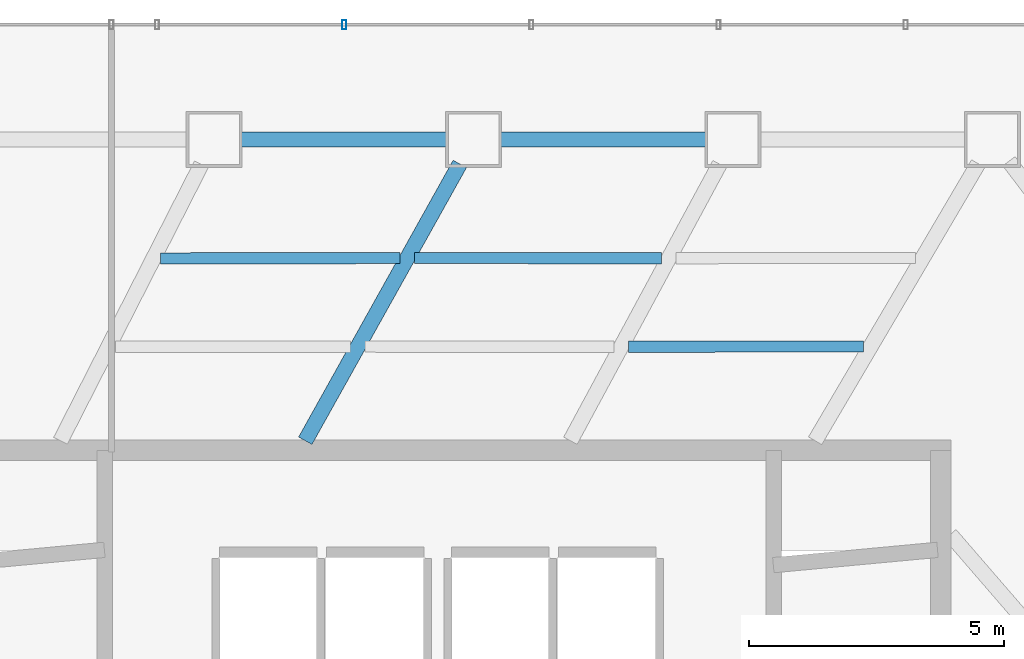
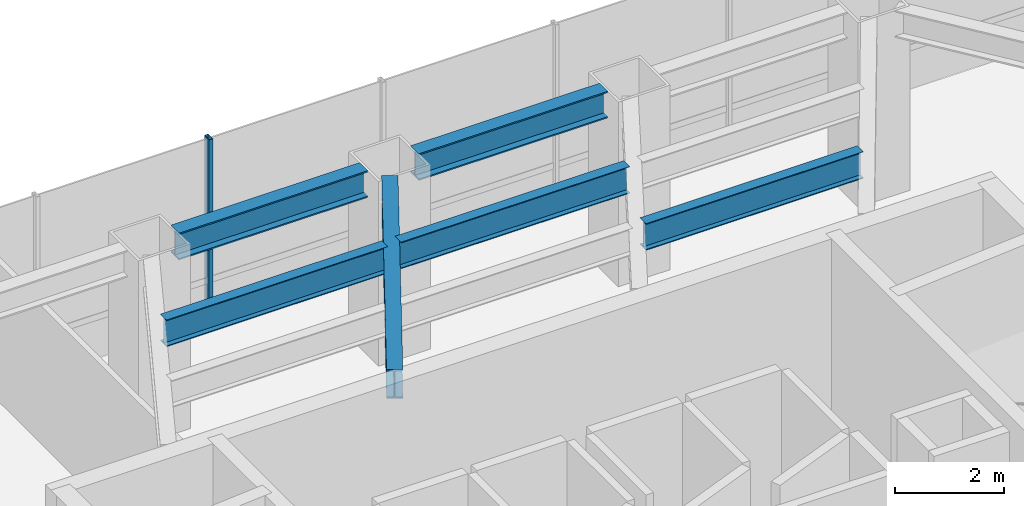
# One storey, part 21 of 37: 6 beams, 1 member, 1 element without a shape of its own.
"""IFC4 building model written with IfcOpenShell, lengths in metres."""

from ifc_helpers import new_model, si_unit, direction, frame, origin, origin_2d, place, context, subcontext, project, spatial, hollow_rectangle, i_section, extrude, material, layer, layer_set, material_profile, profile_set, type_object, element, aggregate, save


model = new_model("IFC4")

# Units and contexts
model_context = context("Model", 3, precision=1e-05, world=origin(), true_north=direction((0.0, 1.0)))
body_context = subcontext(model_context, "Body", "Model", "MODEL_VIEW")
ifc_project = project(units=[si_unit("LENGTHUNIT", "METRE"), si_unit("AREAUNIT", "SQUARE_METRE"), si_unit("VOLUMEUNIT", "CUBIC_METRE"), si_unit("PLANEANGLEUNIT", "RADIAN"), si_unit("MASSUNIT", "GRAM", prefix="KILO")], contexts=[model_context])

# Site, building, storey
site_placement = place(None, origin())
site = spatial("IfcSite", under=ifc_project, at=site_placement, CompositionType="ELEMENT")
building_placement = place(site_placement, origin())
building = spatial("IfcBuilding", under=site, at=building_placement, Name="Zarrinselat Tower", CompositionType="ELEMENT")
storey_placement = place(building_placement, frame((0.0, 0.0, 13.93994140625)))
storey = spatial("IfcBuildingStorey", under=building, at=storey_placement, Name="L03", CompositionType="ELEMENT", Elevation=13.93994140625)

# Beams
ifc_material_1 = material(Name="Steel S355J2", Category="steel")
ifc_material_profile_1 = material_profile(ifc_material_1, i_section(OverallWidth=0.300048828125, OverallDepth=0.60009765625, WebThickness=0.015380859375, FlangeThickness=0.030029296875, at=origin_2d()), Name="HEB 600")
ifc_profile_set_1 = profile_set([ifc_material_profile_1], Name="Steel S355J2")
beam_type_1 = type_object("IfcBeamType", Name="BM-HEB600", PredefinedType="BEAM", material=ifc_profile_set_1)
for number, where, z_axis, x_axis, name in (
    (1, (39.637939453125, 49.550048828125, 3.840087890625), (1.0, 0.0, 0.0), (0.0, 1.0, 0.0), "L03 Perimeter Spandrel Girder SP02"),
    (2, (34.549560546875, 49.550048828125, 3.840087890625), (1.0, 0.0, 0.0), (0.0, 1.0, 0.0), "L03 Perimeter Spandrel Girder SP03"),
):
    element("IfcBeam", number, at=place(storey_placement, frame(where, z_axis=z_axis, x_axis=x_axis)), inside=storey, type_object=beam_type_1, Name=name, PredefinedType="BEAM", context=body_context, shape_type="SweptSolid", body=[
        extrude(i_section(OverallWidth=0.300048828125, OverallDepth=0.60009765625, WebThickness=0.015380859375, FlangeThickness=0.030029296875, at=origin_2d()), origin(), (0.0, 0.0, 1.0), 4.012451171875),
    ])
ifc_material_2 = material(Name="Steel S355J2", Category="steel")
ifc_material_profile_2 = material_profile(ifc_material_2, i_section(OverallWidth=0.300048828125, OverallDepth=0.64990234375, WebThickness=0.01611328125, FlangeThickness=0.031005859375, at=origin_2d()), Name="HEB 650")
ifc_profile_set_2 = profile_set([ifc_material_profile_2], Name="Steel S355J2")
beam_type_2 = type_object("IfcBeamType", Name="BM-HEB650", PredefinedType="BEAM", material=ifc_profile_set_2)
beam_1_placement = place(storey_placement, frame((35.800048828125, 43.639892578125, 3.81494140625), z_axis=(0.487495671471, 0.873125403535, 0.0), x_axis=(-0.873125403535, 0.487495671471, 0.0)))
element("IfcBeam", 3, at=beam_1_placement, inside=storey, type_object=beam_type_2, Name="L03 Radial Primary Girder RG03", PredefinedType="BEAM", context=body_context, shape_type="SweptSolid", body=[
    extrude(i_section(OverallWidth=0.300048828125, OverallDepth=0.64990234375, WebThickness=0.01611328125, FlangeThickness=0.031005859375, at=origin_2d()), origin(), (0.0, 0.0, 1.0), 6.217041015625),
])
ifc_material_3 = material(Name="Steel S355J2", Category="steel")
ifc_material_profile_3 = material_profile(ifc_material_3, i_section(OverallWidth=0.219970703125, OverallDepth=0.60009765625, WebThickness=0.011962890625, FlangeThickness=0.01904296875, at=origin_2d()), Name="IPE 600")
ifc_profile_set_3 = profile_set([ifc_material_profile_3], Name="Steel S355J2")
beam_type_3 = type_object("IfcBeamType", Name="BM-IPE600", PredefinedType="JOIST", material=ifc_profile_set_3)
beam_2_placement = place(storey_placement, frame((42.135009765625, 45.484375, 3.840087890625), z_axis=(0.999999763219, 0.000688158219, 0.0), x_axis=(-0.000688158219, 0.999999763219, 0.0)))
element("IfcBeam", 4, at=beam_2_placement, inside=storey, type_object=beam_type_3, Name="L03 Composite Floor Joist 7-2", PredefinedType="JOIST", context=body_context, shape_type="SweptSolid", body=[
    extrude(i_section(OverallWidth=0.219970703125, OverallDepth=0.60009765625, WebThickness=0.011962890625, FlangeThickness=0.01904296875, at=origin_2d()), origin(), (0.0, 0.0, 1.0), 4.612060546875),
])
beam_3_placement = place(storey_placement, frame((37.9404296875, 47.222412109375, 3.840087890625), z_axis=(0.999999873359, -0.000503271199, 0.0), x_axis=(0.000503271199, 0.999999873359, 0.0)))
element("IfcBeam", 5, at=beam_3_placement, inside=storey, type_object=beam_type_3, Name="L03 Composite Floor Joist 8-1", PredefinedType="JOIST", context=body_context, shape_type="SweptSolid", body=[
    extrude(i_section(OverallWidth=0.219970703125, OverallDepth=0.60009765625, WebThickness=0.011962890625, FlangeThickness=0.01904296875, at=origin_2d()), origin(), (0.0, 0.0, 1.0), 4.85107421875),
])
beam_4_placement = place(storey_placement, frame((32.962158203125, 47.21630859375, 3.840087890625), z_axis=(0.999999156163, 0.001299105119, 0.0), x_axis=(-0.001299105119, 0.999999156163, 0.0)))
element("IfcBeam", 6, at=beam_4_placement, inside=storey, type_object=beam_type_3, Name="L03 Composite Floor Joist 9-1", PredefinedType="JOIST", context=body_context, shape_type="SweptSolid", body=[
    extrude(i_section(OverallWidth=0.219970703125, OverallDepth=0.60009765625, WebThickness=0.011962890625, FlangeThickness=0.01904296875, at=origin_2d()), origin(), (0.0, 0.0, 1.0), 4.6982421875),
])

# Curtain wall, member
ifc_material_4 = material(Name="Extruded Aluminium Alloy EN AW-6063 T6", Category="aluminium")
ifc_layer = layer(ifc_material_4, 0.2099609375)
ifc_layer_set = layer_set([ifc_layer], Name="Extruded Aluminium Alloy EN AW-6063 T6")
curtain_wall_type = type_object("IfcCurtainWallType", Name="CWS-POD", PredefinedType="NOTDEFINED", material=ifc_layer_set)
curtain_wall_placement = place(storey_placement, origin())
curtain_wall = element("IfcCurtainWall", 7, at=curtain_wall_placement, inside=storey, type_object=curtain_wall_type, Name="L03 Unitised Curtain Wall CW-L03-F5", PredefinedType="NOTDEFINED")
ifc_material_5 = material(Name="Extruded Aluminium Alloy EN AW-6063 T6", Category="aluminium")
ifc_material_profile_4 = material_profile(ifc_material_5, hollow_rectangle(XDim=0.080078125, YDim=0.179931640625, WallThickness=0.0048828125, at=origin_2d()), Name="RHS 180x80x5")
ifc_profile_set_4 = profile_set([ifc_material_profile_4], Name="Extruded Aluminium Alloy EN AW-6063 T6")
member_type = type_object("IfcMemberType", Name="MEM-CW-MUL", PredefinedType="MULLION", material=ifc_profile_set_4)
member_placement = place(storey_placement, frame((36.564697265625, 51.800048828125, 0.0), z_axis=(0.0, 0.0, 1.0), x_axis=(-1.0, 0.0, 0.0)))
member = element("IfcMember", 8, at=member_placement, type_object=member_type, Name="CW-L03-F5 Mullion 9", PredefinedType="MULLION", context=body_context, shape_type="SweptSolid", body=[
    extrude(hollow_rectangle(XDim=0.080078125, YDim=0.179931640625, WallThickness=0.0048828125, at=origin_2d()), origin(), (0.0, 0.0, 1.0), 4.14013671875),
])
aggregate(curtain_wall, [member])

save(model, "model.ifc")
